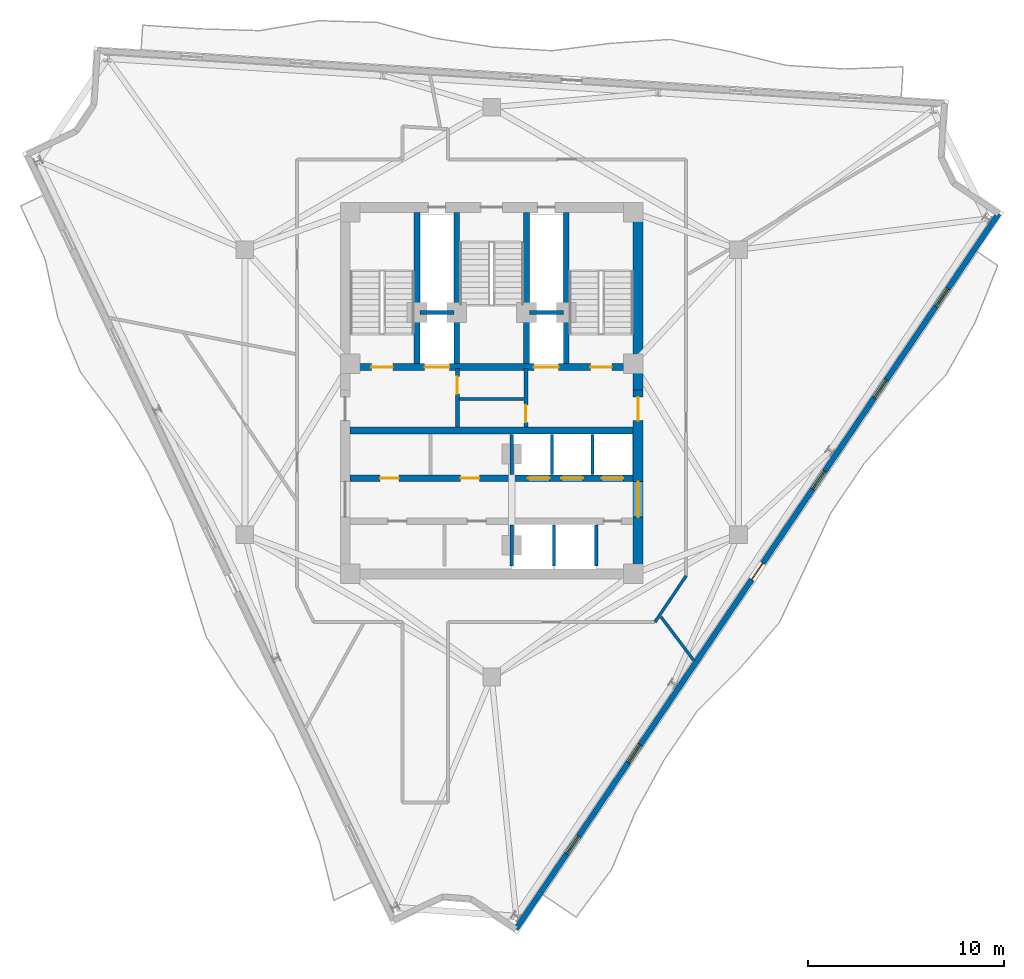
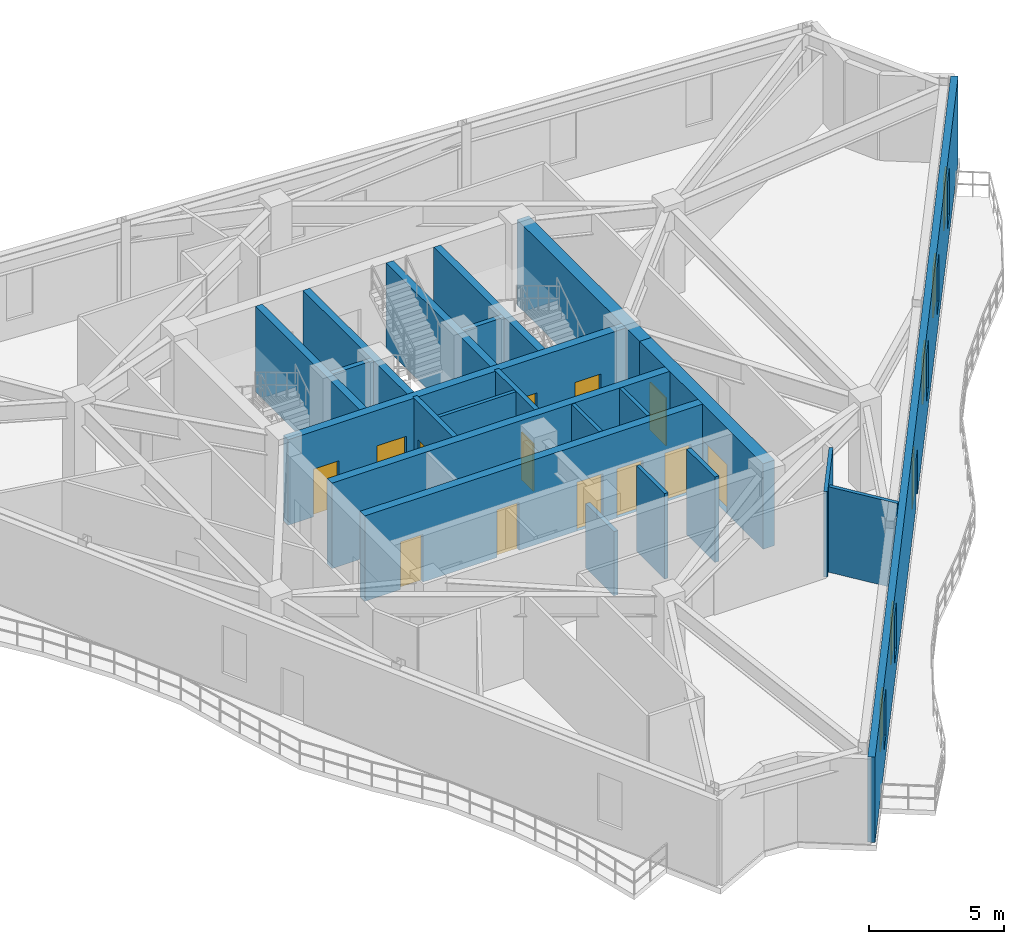
# One storey, part 6 of 10: 23 walls, 14 doors, 5 windows, 19 openings.
"""IFC4 building model written with IfcOpenShell, lengths in metres."""

from ifc_helpers import new_model, si_unit, direction, frame, frame_2d, origin, place, context, subcontext, project, spatial, rectangle, extrude, material, layer, layer_set, type_object, element, fill, save


model = new_model("IFC4")

# Units and contexts
model_context = context("Model", 3, precision=1e-05, world=origin(), true_north=direction((0.0, 1.0)))
body_context = subcontext(model_context, "Body", "Model", "MODEL_VIEW")
ifc_project = project(units=[si_unit("LENGTHUNIT", "METRE"), si_unit("AREAUNIT", "SQUARE_METRE"), si_unit("VOLUMEUNIT", "CUBIC_METRE"), si_unit("PLANEANGLEUNIT", "RADIAN"), si_unit("MASSUNIT", "GRAM", prefix="KILO")], contexts=[model_context])

# Site, building, storey
site_placement = place(None, origin())
site = spatial("IfcSite", under=ifc_project, at=site_placement, CompositionType="ELEMENT")
building_placement = place(site_placement, origin())
building = spatial("IfcBuilding", under=site, at=building_placement, Name="Apsidion Concourse Tower", CompositionType="ELEMENT")
storey_placement = place(building_placement, frame((0.0, 0.0, 298.300048828125)))
storey = spatial("IfcBuildingStorey", under=building, at=storey_placement, Name="L70", CompositionType="ELEMENT", Elevation=298.300048828125)

# Wall, openings, door, windows
ifc_material_1 = material(Name="Precast concrete C40/50", Category="concrete")
ifc_layer_1 = layer(ifc_material_1, 0.280029296875)
ifc_layer_set_1 = layer_set([ifc_layer_1], Name="Precast concrete C40/50")
wall_type_1 = type_object("IfcWallType", Name="WL-EXT-280", PredefinedType="STANDARD", material=ifc_layer_set_1)
wall_1_placement = place(storey_placement, frame((25.800048828125, 9.0830078125, 0.0), z_axis=(0.0, 0.0, 1.0), x_axis=(-0.55919392155, -0.829036885851, 0.0)))
wall_1 = element("IfcWall", 1, at=wall_1_placement, inside=storey, type_object=wall_type_1, Name="L70 Precast Stone Facade Wall 05", PredefinedType="STANDARD", context=body_context, shape_type="SweptSolid", body=[
    extrude(rectangle(XDim=43.914794921875, YDim=0.280029296875, at=frame_2d((21.95751953125, 0.0))), origin(), (0.0, 0.0, 1.0), 3.849853515625),
])
opening_1_placement = place(wall_1_placement, frame((21.457275390625, 0.0, 0.0)))
opening_1 = element("IfcOpeningElement", 2, at=opening_1_placement, cuts=wall_1, Name="Opening D-T1R", PredefinedType="OPENING", context=body_context, shape_type="SweptSolid", body=[
    extrude(rectangle(XDim=1.0, YDim=2.14990234375, at=frame_2d((0.5, 1.074951171875))), frame((0.0, 0.14990234375, 0.0), z_axis=(0.0, -1.0, 0.0), x_axis=(1.0, 0.0, 0.0)), (0.0, 0.0, 1.0), 0.300048828125),
])
opening_2_placement = place(wall_1_placement, frame((4.607421875, 0.0, 0.85009765625)))
opening_2 = element("IfcOpeningElement", 3, at=opening_2_placement, cuts=wall_1, Name="Opening WN-07", PredefinedType="OPENING", context=body_context, shape_type="SweptSolid", body=[
    extrude(rectangle(XDim=1.10009765625, YDim=2.14990234375, at=frame_2d((0.550048828125, 1.074951171875))), frame((0.0, 0.14990234375, 0.0), z_axis=(0.0, -1.0, 0.0), x_axis=(1.0, 0.0, 0.0)), (0.0, 0.0, 1.0), 0.300048828125),
])
opening_3_placement = place(wall_1_placement, frame((10.207275390625, 0.0, 0.85009765625)))
opening_3 = element("IfcOpeningElement", 4, at=opening_3_placement, cuts=wall_1, Name="Opening WN-07", PredefinedType="OPENING", context=body_context, shape_type="SweptSolid", body=[
    extrude(rectangle(XDim=1.10009765625, YDim=2.14990234375, at=frame_2d((0.550048828125, 1.074951171875))), frame((0.0, 0.14990234375, 0.0), z_axis=(0.0, -1.0, 0.0), x_axis=(1.0, 0.0, 0.0)), (0.0, 0.0, 1.0), 0.300048828125),
])
opening_4_placement = place(wall_1_placement, frame((15.807373046875, 0.0, 0.85009765625)))
opening_4 = element("IfcOpeningElement", 5, at=opening_4_placement, cuts=wall_1, Name="Opening WN-07", PredefinedType="OPENING", context=body_context, shape_type="SweptSolid", body=[
    extrude(rectangle(XDim=1.10009765625, YDim=2.14990234375, at=frame_2d((0.550048828125, 1.074951171875))), frame((0.0, 0.14990234375, 0.0), z_axis=(0.0, -1.0, 0.0), x_axis=(1.0, 0.0, 0.0)), (0.0, 0.0, 1.0), 0.300048828125),
])
opening_5_placement = place(wall_1_placement, frame((32.607421875, 0.0, 0.85009765625)))
opening_5 = element("IfcOpeningElement", 6, at=opening_5_placement, cuts=wall_1, Name="Opening WN-07", PredefinedType="OPENING", context=body_context, shape_type="SweptSolid", body=[
    extrude(rectangle(XDim=1.10009765625, YDim=2.14990234375, at=frame_2d((0.550048828125, 1.074951171875))), frame((0.0, 0.14990234375, 0.0), z_axis=(0.0, -1.0, 0.0), x_axis=(1.0, 0.0, 0.0)), (0.0, 0.0, 1.0), 0.300048828125),
])
opening_6_placement = place(wall_1_placement, frame((38.207275390625, 0.0, 0.85009765625)))
opening_6 = element("IfcOpeningElement", 7, at=opening_6_placement, cuts=wall_1, Name="Opening WN-07", PredefinedType="OPENING", context=body_context, shape_type="SweptSolid", body=[
    extrude(rectangle(XDim=1.10009765625, YDim=2.14990234375, at=frame_2d((0.550048828125, 1.074951171875))), frame((0.0, 0.14990234375, 0.0), z_axis=(0.0, -1.0, 0.0), x_axis=(1.0, 0.0, 0.0)), (0.0, 0.0, 1.0), 0.300048828125),
])
ifc_material_2 = material(Name="Anodised aluminium EN AW-6063 T6", Category="aluminium")
door_type_1 = type_object("IfcDoorType", Name="DR-TER-1022R", OperationType="SINGLE_SWING_RIGHT", PredefinedType="DOOR", material=ifc_material_2)
door_1_placement = place(opening_1_placement, origin())
door_1 = element("IfcDoor", 8, at=door_1_placement, inside=storey, type_object=door_type_1, Name="L70 Balcony Access Door 2", OperationType="SINGLE_SWING_RIGHT", OverallHeight=2.14990234375, OverallWidth=1.0, PredefinedType="DOOR", context=body_context, shape_type="SweptSolid", body=[
    extrude(rectangle(XDim=1.0, YDim=2.14990234375, at=frame_2d((0.5, 1.074951171875))), frame((0.0, 0.02490234375, 0.0), z_axis=(0.0, -1.0, 0.0), x_axis=(1.0, 0.0, 0.0)), (0.0, 0.0, 1.0), 0.050048828125),
])
fill(opening_1, door_1)
ifc_material_3 = material(Name="Insulated laminated low-E glass", Category="glass")
window_type = type_object("IfcWindowType", Name="WN-OFF-1123", PartitioningType="SINGLE_PANEL", PredefinedType="WINDOW", material=ifc_material_3)
window_1_placement = place(opening_2_placement, origin())
window_1 = element("IfcWindow", 9, at=window_1_placement, inside=storey, type_object=window_type, Name="L70 Punched Facade Window 5-01", OverallHeight=2.14990234375, OverallWidth=1.10009765625, PartitioningType="SINGLE_PANEL", PredefinedType="WINDOW", context=body_context, shape_type="SweptSolid", body=[
    extrude(rectangle(XDim=1.10009765625, YDim=2.14990234375, at=frame_2d((0.550048828125, 1.074951171875))), frame((0.0, 0.030029296875, 0.0), z_axis=(0.0, -1.0, 0.0), x_axis=(1.0, 0.0, 0.0)), (0.0, 0.0, 1.0), 0.06005859375),
])
fill(opening_2, window_1)
window_2_placement = place(opening_3_placement, origin())
window_2 = element("IfcWindow", 10, at=window_2_placement, inside=storey, type_object=window_type, Name="L70 Punched Facade Window 5-02", OverallHeight=2.14990234375, OverallWidth=1.10009765625, PartitioningType="SINGLE_PANEL", PredefinedType="WINDOW", context=body_context, shape_type="SweptSolid", body=[
    extrude(rectangle(XDim=1.10009765625, YDim=2.14990234375, at=frame_2d((0.550048828125, 1.074951171875))), frame((0.0, 0.030029296875, 0.0), z_axis=(0.0, -1.0, 0.0), x_axis=(1.0, 0.0, 0.0)), (0.0, 0.0, 1.0), 0.06005859375),
])
fill(opening_3, window_2)
window_3_placement = place(opening_4_placement, origin())
window_3 = element("IfcWindow", 11, at=window_3_placement, inside=storey, type_object=window_type, Name="L70 Punched Facade Window 5-03", OverallHeight=2.14990234375, OverallWidth=1.10009765625, PartitioningType="SINGLE_PANEL", PredefinedType="WINDOW", context=body_context, shape_type="SweptSolid", body=[
    extrude(rectangle(XDim=1.10009765625, YDim=2.14990234375, at=frame_2d((0.550048828125, 1.074951171875))), frame((0.0, 0.030029296875, 0.0), z_axis=(0.0, -1.0, 0.0), x_axis=(1.0, 0.0, 0.0)), (0.0, 0.0, 1.0), 0.06005859375),
])
fill(opening_4, window_3)
window_4_placement = place(opening_5_placement, origin())
window_4 = element("IfcWindow", 12, at=window_4_placement, inside=storey, type_object=window_type, Name="L70 Punched Facade Window 5-06", OverallHeight=2.14990234375, OverallWidth=1.10009765625, PartitioningType="SINGLE_PANEL", PredefinedType="WINDOW", context=body_context, shape_type="SweptSolid", body=[
    extrude(rectangle(XDim=1.10009765625, YDim=2.14990234375, at=frame_2d((0.550048828125, 1.074951171875))), frame((0.0, 0.030029296875, 0.0), z_axis=(0.0, -1.0, 0.0), x_axis=(1.0, 0.0, 0.0)), (0.0, 0.0, 1.0), 0.06005859375),
])
fill(opening_5, window_4)
window_5_placement = place(opening_6_placement, origin())
window_5 = element("IfcWindow", 13, at=window_5_placement, inside=storey, type_object=window_type, Name="L70 Punched Facade Window 5-07", OverallHeight=2.14990234375, OverallWidth=1.10009765625, PartitioningType="SINGLE_PANEL", PredefinedType="WINDOW", context=body_context, shape_type="SweptSolid", body=[
    extrude(rectangle(XDim=1.10009765625, YDim=2.14990234375, at=frame_2d((0.550048828125, 1.074951171875))), frame((0.0, 0.030029296875, 0.0), z_axis=(0.0, -1.0, 0.0), x_axis=(1.0, 0.0, 0.0)), (0.0, 0.0, 1.0), 0.06005859375),
])
fill(opening_6, window_5)

# Walls
ifc_material_4 = material(Name="Gypsum plasterboard partition")
ifc_layer_2 = layer(ifc_material_4, 0.14990234375)
ifc_layer_set_2 = layer_set([ifc_layer_2], Name="Gypsum plasterboard partition")
wall_type_2 = type_object("IfcWallType", Name="WL-INT-PAR-150", PredefinedType="PARTITIONING", material=ifc_layer_set_2)
for number, where, z_axis, x_axis, name in (
    (14, (3.074951171875, -4.179931640625, 0.0), (0.0, 0.0, 1.0), (0.0, 1.0, 0.0), "L70 Interior Partition WL-L70-B3DIV-1"),
    (15, (5.125, -4.179931640625, 0.0), (0.0, 0.0, 1.0), (0.0, 1.0, 0.0), "L70 Interior Partition WL-L70-B3DIV-2"),
):
    element("IfcWall", number, at=place(storey_placement, frame(where, z_axis=z_axis, x_axis=x_axis)), inside=storey, type_object=wall_type_2, Name=name, PredefinedType="PARTITIONING", context=body_context, shape_type="SweptSolid", body=[
        extrude(rectangle(XDim=2.030029296875, YDim=0.14990234375, at=frame_2d((1.01513671875, 0.0))), origin(), (0.0, 0.0, 1.0), 3.849853515625),
    ])
wall_2_placement = place(storey_placement, frame((3.175048828125, -8.85009765625, 0.0), z_axis=(0.0, 0.0, 1.0), x_axis=(0.0, 1.0, 0.0)))
element("IfcWall", 16, at=wall_2_placement, inside=storey, type_object=wall_type_2, Name="L70 Interior Partition WL-L70-SHDIV-1", PredefinedType="PARTITIONING", context=body_context, shape_type="SweptSolid", body=[
    extrude(rectangle(XDim=2.080078125, YDim=0.14990234375, at=frame_2d((1.0400390625, 0.0))), origin(), (0.0, 0.0, 1.0), 3.849853515625),
])
wall_3_placement = place(storey_placement, frame((-1.6298828125, -0.35009765625, 0.0), z_axis=(0.0, 0.0, 1.0), x_axis=(1.0, 0.0, 0.0)))
element("IfcWall", 17, at=wall_3_placement, inside=storey, type_object=wall_type_2, Name="L70 Interior Partition WL-L70-K2H", PredefinedType="PARTITIONING", context=body_context, shape_type="SweptSolid", body=[
    extrude(rectangle(XDim=3.259765625, YDim=0.14990234375, at=frame_2d((1.6298828125, 0.0))), origin(), (0.0, 0.0, 1.0), 3.849853515625),
])
wall_4_placement = place(storey_placement, frame((9.89990234375, -9.348388671875, 0.0), z_axis=(0.0, 0.0, 1.0), x_axis=(-0.559200828408, -0.829032227062, 0.0)))
element("IfcWall", 18, at=wall_4_placement, inside=storey, type_object=wall_type_2, Name="L70 Interior Partition WL-L70-CORR-10", PredefinedType="PARTITIONING", context=body_context, shape_type="SweptSolid", body=[
    extrude(rectangle(XDim=2.83642578125, YDim=0.14990234375, at=frame_2d((1.418212890625, 0.0))), origin(), (0.0, 0.0, 1.0), 3.849853515625),
])
wall_5_placement = place(storey_placement, frame((8.6181640625, -11.4365234375, 0.0), z_axis=(0.0, 0.0, 1.0), x_axis=(0.601749877765, -0.798684596452, 0.0)))
element("IfcWall", 19, at=wall_5_placement, inside=storey, type_object=wall_type_2, Name="L70 Interior Partition WL-L70-RAD-05-1", PredefinedType="PARTITIONING", context=body_context, shape_type="SweptSolid", body=[
    extrude(rectangle(XDim=2.765869140625, YDim=0.14990234375, at=frame_2d((1.3828125, 0.0))), origin(), (0.0, 0.0, 1.0), 3.849853515625),
])
ifc_layer_3 = layer(ifc_material_4, 0.179931640625)
ifc_layer_set_3 = layer_set([ifc_layer_3], Name="Gypsum plasterboard partition")
wall_type_3 = type_object("IfcWallType", Name="WL-INT-PAR-180", PredefinedType="PARTITIONING", material=ifc_layer_set_3)
wall_6_placement = place(storey_placement, frame((1.02490234375, -4.179931640625, 0.0), z_axis=(0.0, 0.0, 1.0), x_axis=(0.0, 1.0, 0.0)))
element("IfcWall", 20, at=wall_6_placement, inside=storey, type_object=wall_type_3, Name="L70 Interior Partition WL-L70-B1END", PredefinedType="PARTITIONING", context=body_context, shape_type="SweptSolid", body=[
    extrude(rectangle(XDim=2.030029296875, YDim=0.179931640625, at=frame_2d((1.01513671875, 0.0))), origin(), (0.0, 0.0, 1.0), 2.89794921875),
])
wall_7_placement = place(storey_placement, frame((1.02490234375, -8.85009765625, 0.0), z_axis=(0.0, 0.0, 1.0), x_axis=(0.0, 1.0, 0.0)))
element("IfcWall", 21, at=wall_7_placement, inside=storey, type_object=wall_type_3, Name="L70 Interior Partition WL-L70-B2END", PredefinedType="PARTITIONING", context=body_context, shape_type="SweptSolid", body=[
    extrude(rectangle(XDim=2.080078125, YDim=0.179931640625, at=frame_2d((1.0400390625, 0.0))), origin(), (0.0, 0.0, 1.0), 2.89794921875),
])
wall_8_placement = place(storey_placement, frame((5.324951171875, -8.85009765625, 0.0), z_axis=(0.0, 0.0, 1.0), x_axis=(0.0, 1.0, 0.0)))
element("IfcWall", 22, at=wall_8_placement, inside=storey, type_object=wall_type_3, Name="L70 Interior Partition WL-L70-SHDIV-2", PredefinedType="PARTITIONING", context=body_context, shape_type="SweptSolid", body=[
    extrude(rectangle(XDim=2.080078125, YDim=0.179931640625, at=frame_2d((1.0400390625, 0.0))), origin(), (0.0, 0.0, 1.0), 3.849853515625),
])
ifc_layer_4 = layer(ifc_material_4, 0.199951171875)
ifc_layer_set_4 = layer_set([ifc_layer_4], Name="Gypsum plasterboard partition")
wall_type_4 = type_object("IfcWallType", Name="WL-INT-PAR-200", PredefinedType="PARTITIONING", material=ifc_layer_set_4)
for number, where, z_axis, x_axis, name in (
    (23, (-3.64990234375, 4.050048828125, 0.0), (0.0, 0.0, 1.0), (1.0, 0.0, 0.0), "L70 Interior Partition WL-L70-FF1-N"),
    (24, (1.919921875, 4.050048828125, 0.0), (0.0, 0.0, 1.0), (1.0, 0.0, 0.0), "L70 Interior Partition WL-L70-FF2-N"),
):
    element("IfcWall", number, at=place(storey_placement, frame(where, z_axis=z_axis, x_axis=x_axis)), inside=storey, type_object=wall_type_4, Name=name, PredefinedType="PARTITIONING", context=body_context, shape_type="SweptSolid", body=[
        extrude(rectangle(XDim=1.72998046875, YDim=0.199951171875, at=frame_2d((0.864990234375, 0.0))), origin(), (0.0, 0.0, 1.0), 3.849853515625),
    ])

# Wall, opening, door
wall_9_placement = place(storey_placement, frame((-1.739990234375, -1.780029296875, 0.0), z_axis=(0.0, 0.0, 1.0), x_axis=(0.0, 1.0, 0.0)))
wall_9 = element("IfcWall", 25, at=wall_9_placement, inside=storey, type_object=wall_type_4, Name="L70 Interior Partition WL-L70-FF1-E", PredefinedType="PARTITIONING", context=body_context, shape_type="SweptSolid", body=[
    extrude(rectangle(XDim=2.97998046875, YDim=0.199951171875, at=frame_2d((1.489990234375, 0.0))), origin(), (0.0, 0.0, 1.0), 3.849853515625),
])
opening_7_placement = place(wall_9_placement, frame((1.68994140625, 0.0, 0.0)))
opening_7 = element("IfcOpeningElement", 26, at=opening_7_placement, cuts=wall_9, Name="Opening D-05L", PredefinedType="OPENING", context=body_context, shape_type="SweptSolid", body=[
    extrude(rectangle(XDim=0.8798828125, YDim=2.14990234375, at=frame_2d((0.43994140625, 1.074951171875))), frame((0.0, 0.10986328125, 0.0), z_axis=(0.0, -1.0, 0.0), x_axis=(1.0, 0.0, 0.0)), (0.0, 0.0, 1.0), 0.219970703125),
])
ifc_material_5 = material(Name="Brushed stainless steel 316", Category="steel")
door_type_2 = type_object("IfcDoorType", Name="DR-INT-D05L", OperationType="SINGLE_SWING_LEFT", PredefinedType="DOOR", material=ifc_material_5)
door_2_placement = place(opening_7_placement, origin())
door_2 = element("IfcDoor", 27, at=door_2_placement, inside=storey, type_object=door_type_2, Name="L70 Core Staff WC Door", OperationType="SINGLE_SWING_LEFT", OverallHeight=2.14990234375, OverallWidth=0.8798828125, PredefinedType="DOOR", context=body_context, shape_type="SweptSolid", body=[
    extrude(rectangle(XDim=0.8798828125, YDim=2.14990234375, at=frame_2d((0.43994140625, 1.074951171875))), frame((0.0, 0.02490234375, 0.0), z_axis=(0.0, -1.0, 0.0), x_axis=(1.0, 0.0, 0.0)), (0.0, 0.0, 1.0), 0.050048828125),
])
fill(opening_7, door_2)

wall_10_placement = place(storey_placement, frame((1.739990234375, -1.780029296875, 0.0), z_axis=(0.0, 0.0, 1.0), x_axis=(0.0, 1.0, 0.0)))
wall_10 = element("IfcWall", 28, at=wall_10_placement, inside=storey, type_object=wall_type_4, Name="L70 Interior Partition WL-L70-FF2-W", PredefinedType="PARTITIONING", context=body_context, shape_type="SweptSolid", body=[
    extrude(rectangle(XDim=2.97998046875, YDim=0.199951171875, at=frame_2d((1.489990234375, 0.0))), origin(), (0.0, 0.0, 1.0), 3.849853515625),
])
opening_8_placement = place(wall_10_placement, frame((0.239990234375, 0.0, 0.0)))
opening_8 = element("IfcOpeningElement", 29, at=opening_8_placement, cuts=wall_10, Name="Opening D-05R", PredefinedType="OPENING", context=body_context, shape_type="SweptSolid", body=[
    extrude(rectangle(XDim=0.8798828125, YDim=2.14990234375, at=frame_2d((0.43994140625, 1.074951171875))), frame((0.0, 0.10986328125, 0.0), z_axis=(0.0, -1.0, 0.0), x_axis=(1.0, 0.0, 0.0)), (0.0, 0.0, 1.0), 0.219970703125),
])
door_type_3 = type_object("IfcDoorType", Name="DR-INT-D05R", OperationType="SINGLE_SWING_RIGHT", PredefinedType="DOOR", material=ifc_material_5)
door_3_placement = place(opening_8_placement, origin())
door_3 = element("IfcDoor", 30, at=door_3_placement, inside=storey, type_object=door_type_3, Name="L70 Core Supply Store Door", OperationType="SINGLE_SWING_RIGHT", OverallHeight=2.14990234375, OverallWidth=0.8798828125, PredefinedType="DOOR", context=body_context, shape_type="SweptSolid", body=[
    extrude(rectangle(XDim=0.8798828125, YDim=2.14990234375, at=frame_2d((0.43994140625, 1.074951171875))), frame((0.0, 0.02490234375, 0.0), z_axis=(0.0, -1.0, 0.0), x_axis=(1.0, 0.0, 0.0)), (0.0, 0.0, 1.0), 0.050048828125),
])
fill(opening_8, door_3)

# Walls
ifc_material_6 = material(Name="Concrete C50/60", Category="concrete")
ifc_layer_5 = layer(ifc_material_6, 0.300048828125)
ifc_layer_set_5 = layer_set([ifc_layer_5], Name="Concrete C50/60")
wall_type_5 = type_object("IfcWallType", Name="WL-SH-300", PredefinedType="SHEAR", material=ifc_layer_set_5)
for number, where, z_axis, x_axis, name in (
    (31, (-3.800048828125, 1.449951171875, 0.0), (0.0, 0.0, 1.0), (0.0, 1.0, 0.0), "L70 Central Core Shear Wall V1"),
    (32, (-1.77490234375, 1.449951171875, 0.0), (0.0, 0.0, 1.0), (0.0, 1.0, 0.0), "L70 Central Core Shear Wall V2"),
    (33, (1.77490234375, 1.449951171875, 0.0), (0.0, 0.0, 1.0), (0.0, 1.0, 0.0), "L70 Central Core Shear Wall V3"),
    (34, (3.800048828125, 1.449951171875, 0.0), (0.0, 0.0, 1.0), (0.0, 1.0, 0.0), "L70 Central Core Shear Wall V4"),
):
    element("IfcWall", number, at=place(storey_placement, frame(where, z_axis=z_axis, x_axis=x_axis)), inside=storey, type_object=wall_type_5, Name=name, PredefinedType="SHEAR", context=body_context, shape_type="SweptSolid", body=[
        extrude(rectangle(XDim=7.699951171875, YDim=0.300048828125, at=frame_2d((3.85009765625, 0.0))), origin(), (0.0, 0.0, 1.0), 3.849853515625),
    ])

# Wall, openings, doors
ifc_layer_6 = layer(ifc_material_6, 0.35009765625)
ifc_layer_set_6 = layer_set([ifc_layer_6], Name="Concrete C50/60")
wall_type_6 = type_object("IfcWallType", Name="WL-SH-350", PredefinedType="SHEAR", material=ifc_layer_set_6)
wall_11_placement = place(storey_placement, frame((-7.199951171875, 1.27490234375, 0.0), z_axis=(0.0, 0.0, 1.0), x_axis=(1.0, 0.0, 0.0)))
wall_11 = element("IfcWall", 35, at=wall_11_placement, inside=storey, type_object=wall_type_6, Name="L70 Central Core Shear Wall M1", PredefinedType="SHEAR", context=body_context, shape_type="SweptSolid", body=[
    extrude(rectangle(XDim=14.39990234375, YDim=0.35009765625, at=frame_2d((7.199951171875, 0.0))), origin(), (0.0, 0.0, 1.0), 3.849853515625),
])
opening_9_placement = place(wall_11_placement, frame((3.794921875, 0.0, 0.0)))
opening_9 = element("IfcOpeningElement", 36, at=opening_9_placement, cuts=wall_11, Name="Opening LD-FF", PredefinedType="OPENING", context=body_context, shape_type="SweptSolid", body=[
    extrude(rectangle(XDim=1.25, YDim=2.25, at=frame_2d((0.625, 1.125))), frame((0.0, 0.18505859375, 0.0), z_axis=(0.0, -1.0, 0.0), x_axis=(1.0, 0.0, 0.0)), (0.0, 0.0, 1.0), 0.3701171875),
])
opening_10_placement = place(wall_11_placement, frame((9.35498046875, 0.0, 0.0)))
opening_10 = element("IfcOpeningElement", 37, at=opening_10_placement, cuts=wall_11, Name="Opening LD-FF", PredefinedType="OPENING", context=body_context, shape_type="SweptSolid", body=[
    extrude(rectangle(XDim=1.25, YDim=2.25, at=frame_2d((0.625, 1.125))), frame((0.0, 0.18505859375, 0.0), z_axis=(0.0, -1.0, 0.0), x_axis=(1.0, 0.0, 0.0)), (0.0, 0.0, 1.0), 0.3701171875),
])
opening_11_placement = place(wall_11_placement, frame((1.074951171875, 0.0, 0.0)))
opening_11 = element("IfcOpeningElement", 38, at=opening_11_placement, cuts=wall_11, Name="Opening D-STL", PredefinedType="OPENING", context=body_context, shape_type="SweptSolid", body=[
    extrude(rectangle(XDim=1.10009765625, YDim=2.14990234375, at=frame_2d((0.550048828125, 1.074951171875))), frame((0.0, 0.18505859375, 0.0), z_axis=(0.0, -1.0, 0.0), x_axis=(1.0, 0.0, 0.0)), (0.0, 0.0, 1.0), 0.3701171875),
])
opening_12_placement = place(wall_11_placement, frame((12.22509765625, 0.0, 0.0)))
opening_12 = element("IfcOpeningElement", 39, at=opening_12_placement, cuts=wall_11, Name="Opening D-STR", PredefinedType="OPENING", context=body_context, shape_type="SweptSolid", body=[
    extrude(rectangle(XDim=1.10009765625, YDim=2.14990234375, at=frame_2d((0.550048828125, 1.074951171875))), frame((0.0, 0.18505859375, 0.0), z_axis=(0.0, -1.0, 0.0), x_axis=(1.0, 0.0, 0.0)), (0.0, 0.0, 1.0), 0.3701171875),
])
door_type_4 = type_object("IfcDoorType", Name="DR-INT-ST1L", OperationType="SINGLE_SWING_LEFT", PredefinedType="DOOR", material=ifc_material_5)
door_4_placement = place(opening_11_placement, origin())
door_4 = element("IfcDoor", 40, at=door_4_placement, inside=storey, type_object=door_type_4, Name="L70 Core Exit Stair ST1 Door", OperationType="SINGLE_SWING_LEFT", OverallHeight=2.14990234375, OverallWidth=1.10009765625, PredefinedType="DOOR", context=body_context, shape_type="SweptSolid", body=[
    extrude(rectangle(XDim=1.10009765625, YDim=2.14990234375, at=frame_2d((0.550048828125, 1.074951171875))), frame((0.0, 0.02490234375, 0.0), z_axis=(0.0, -1.0, 0.0), x_axis=(1.0, 0.0, 0.0)), (0.0, 0.0, 1.0), 0.050048828125),
])
fill(opening_11, door_4)
door_type_5 = type_object("IfcDoorType", Name="DR-INT-ST1R", OperationType="SINGLE_SWING_RIGHT", PredefinedType="DOOR", material=ifc_material_5)
door_5_placement = place(opening_12_placement, origin())
door_5 = element("IfcDoor", 41, at=door_5_placement, inside=storey, type_object=door_type_5, Name="L70 Core Exit Stair ST2 Door", OperationType="SINGLE_SWING_RIGHT", OverallHeight=2.14990234375, OverallWidth=1.10009765625, PredefinedType="DOOR", context=body_context, shape_type="SweptSolid", body=[
    extrude(rectangle(XDim=1.10009765625, YDim=2.14990234375, at=frame_2d((0.550048828125, 1.074951171875))), frame((0.0, 0.02490234375, 0.0), z_axis=(0.0, -1.0, 0.0), x_axis=(1.0, 0.0, 0.0)), (0.0, 0.0, 1.0), 0.050048828125),
])
fill(opening_12, door_5)
door_type_6 = type_object("IfcDoorType", Name="DR-LD-FSAE", OperationType="DOUBLE_DOOR_SLIDING", PredefinedType="DOOR", material=ifc_material_5)
door_6_placement = place(opening_9_placement, origin())
door_6 = element("IfcDoor", 42, at=door_6_placement, inside=storey, type_object=door_type_6, Name="L70 Lift Landing Door FF1", OperationType="DOUBLE_DOOR_SLIDING", OverallHeight=2.25, OverallWidth=1.25, PredefinedType="DOOR", context=body_context, shape_type="SweptSolid", body=[
    extrude(rectangle(XDim=1.25, YDim=2.25, at=frame_2d((0.625, 1.125))), frame((0.0, 0.02490234375, 0.0), z_axis=(0.0, -1.0, 0.0), x_axis=(1.0, 0.0, 0.0)), (0.0, 0.0, 1.0), 0.050048828125),
])
fill(opening_9, door_6)
door_7_placement = place(opening_10_placement, origin())
door_7 = element("IfcDoor", 43, at=door_7_placement, inside=storey, type_object=door_type_6, Name="L70 Lift Landing Door FF2", OperationType="DOUBLE_DOOR_SLIDING", OverallHeight=2.25, OverallWidth=1.25, PredefinedType="DOOR", context=body_context, shape_type="SweptSolid", body=[
    extrude(rectangle(XDim=1.25, YDim=2.25, at=frame_2d((0.625, 1.125))), frame((0.0, 0.02490234375, 0.0), z_axis=(0.0, -1.0, 0.0), x_axis=(1.0, 0.0, 0.0)), (0.0, 0.0, 1.0), 0.050048828125),
])
fill(opening_10, door_7)

# Wall
wall_12_placement = place(storey_placement, frame((-7.199951171875, -1.949951171875, 0.0), z_axis=(0.0, 0.0, 1.0), x_axis=(1.0, 0.0, 0.0)))
element("IfcWall", 44, at=wall_12_placement, inside=storey, type_object=wall_type_6, Name="L70 Central Core Shear Wall M2", PredefinedType="SHEAR", context=body_context, shape_type="SweptSolid", body=[
    extrude(rectangle(XDim=14.39990234375, YDim=0.35009765625, at=frame_2d((7.199951171875, 0.0))), origin(), (0.0, 0.0, 1.0), 3.849853515625),
])

# Wall, openings, doors
wall_13_placement = place(storey_placement, frame((-7.199951171875, -4.3798828125, 0.0), z_axis=(0.0, 0.0, 1.0), x_axis=(1.0, 0.0, 0.0)))
wall_13 = element("IfcWall", 45, at=wall_13_placement, inside=storey, type_object=wall_type_6, Name="L70 Central Core Shear Wall LA", PredefinedType="SHEAR", context=body_context, shape_type="SweptSolid", body=[
    extrude(rectangle(XDim=14.39990234375, YDim=0.35009765625, at=frame_2d((7.199951171875, 0.0))), origin(), (0.0, 0.0, 1.0), 3.849853515625),
])
opening_13_placement = place(wall_13_placement, frame((9.050048828125, 0.0, 0.0)))
opening_13 = element("IfcOpeningElement", 46, at=opening_13_placement, cuts=wall_13, Name="Opening LD-P1", PredefinedType="OPENING", context=body_context, shape_type="SweptSolid", body=[
    extrude(rectangle(XDim=1.10009765625, YDim=2.199951171875, at=frame_2d((0.550048828125, 1.10009765625))), frame((0.0, 0.18505859375, 0.0), z_axis=(0.0, -1.0, 0.0), x_axis=(1.0, 0.0, 0.0)), (0.0, 0.0, 1.0), 0.3701171875),
])
opening_14_placement = place(wall_13_placement, frame((10.75, 0.0, 0.0)))
opening_14 = element("IfcOpeningElement", 47, at=opening_14_placement, cuts=wall_13, Name="Opening LD-P1", PredefinedType="OPENING", context=body_context, shape_type="SweptSolid", body=[
    extrude(rectangle(XDim=1.10009765625, YDim=2.199951171875, at=frame_2d((0.550048828125, 1.10009765625))), frame((0.0, 0.18505859375, 0.0), z_axis=(0.0, -1.0, 0.0), x_axis=(1.0, 0.0, 0.0)), (0.0, 0.0, 1.0), 0.3701171875),
])
opening_15_placement = place(wall_13_placement, frame((12.800048828125, 0.0, 0.0)))
opening_15 = element("IfcOpeningElement", 48, at=opening_15_placement, cuts=wall_13, Name="Opening LD-P1", PredefinedType="OPENING", context=body_context, shape_type="SweptSolid", body=[
    extrude(rectangle(XDim=1.10009765625, YDim=2.199951171875, at=frame_2d((0.550048828125, 1.10009765625))), frame((0.0, 0.18505859375, 0.0), z_axis=(0.0, -1.0, 0.0), x_axis=(1.0, 0.0, 0.0)), (0.0, 0.0, 1.0), 0.3701171875),
])
opening_16_placement = place(wall_13_placement, frame((1.52490234375, 0.0, 0.0)))
opening_16 = element("IfcOpeningElement", 49, at=opening_16_placement, cuts=wall_13, Name="Opening D-04L", PredefinedType="OPENING", context=body_context, shape_type="SweptSolid", body=[
    extrude(rectangle(XDim=0.949951171875, YDim=2.14990234375, at=frame_2d((0.47509765625, 1.074951171875))), frame((0.0, 0.18505859375, 0.0), z_axis=(0.0, -1.0, 0.0), x_axis=(1.0, 0.0, 0.0)), (0.0, 0.0, 1.0), 0.3701171875),
])
opening_17_placement = place(wall_13_placement, frame((5.625, 0.0, 0.0)))
opening_17 = element("IfcOpeningElement", 50, at=opening_17_placement, cuts=wall_13, Name="Opening D-04R", PredefinedType="OPENING", context=body_context, shape_type="SweptSolid", body=[
    extrude(rectangle(XDim=0.949951171875, YDim=2.14990234375, at=frame_2d((0.47509765625, 1.074951171875))), frame((0.0, 0.18505859375, 0.0), z_axis=(0.0, -1.0, 0.0), x_axis=(1.0, 0.0, 0.0)), (0.0, 0.0, 1.0), 0.3701171875),
])
door_type_7 = type_object("IfcDoorType", Name="DR-INT-D04L", OperationType="SINGLE_SWING_LEFT", PredefinedType="DOOR", material=ifc_material_5)
door_8_placement = place(opening_16_placement, origin())
door_8 = element("IfcDoor", 51, at=door_8_placement, inside=storey, type_object=door_type_7, Name="L70 Tenant Archive Room West Door", OperationType="SINGLE_SWING_LEFT", OverallHeight=2.14990234375, OverallWidth=0.949951171875, PredefinedType="DOOR", context=body_context, shape_type="SweptSolid", body=[
    extrude(rectangle(XDim=0.949951171875, YDim=2.14990234375, at=frame_2d((0.47509765625, 1.074951171875))), frame((0.0, 0.02490234375, 0.0), z_axis=(0.0, -1.0, 0.0), x_axis=(1.0, 0.0, 0.0)), (0.0, 0.0, 1.0), 0.050048828125),
])
fill(opening_16, door_8)
door_type_8 = type_object("IfcDoorType", Name="DR-INT-D04R", OperationType="SINGLE_SWING_RIGHT", PredefinedType="DOOR", material=ifc_material_5)
door_9_placement = place(opening_17_placement, origin())
door_9 = element("IfcDoor", 52, at=door_9_placement, inside=storey, type_object=door_type_8, Name="L70 Core Print and Copy Room Door", OperationType="SINGLE_SWING_RIGHT", OverallHeight=2.14990234375, OverallWidth=0.949951171875, PredefinedType="DOOR", context=body_context, shape_type="SweptSolid", body=[
    extrude(rectangle(XDim=0.949951171875, YDim=2.14990234375, at=frame_2d((0.47509765625, 1.074951171875))), frame((0.0, 0.02490234375, 0.0), z_axis=(0.0, -1.0, 0.0), x_axis=(1.0, 0.0, 0.0)), (0.0, 0.0, 1.0), 0.050048828125),
])
fill(opening_17, door_9)
door_type_9 = type_object("IfcDoorType", Name="DR-LD-PASS", OperationType="DOUBLE_DOOR_SLIDING", PredefinedType="DOOR", material=ifc_material_5)
door_10_placement = place(opening_13_placement, origin())
door_10 = element("IfcDoor", 53, at=door_10_placement, inside=storey, type_object=door_type_9, Name="L70 Lift Landing Door P9", OperationType="DOUBLE_DOOR_SLIDING", OverallHeight=2.199951171875, OverallWidth=1.10009765625, PredefinedType="DOOR", context=body_context, shape_type="SweptSolid", body=[
    extrude(rectangle(XDim=1.10009765625, YDim=2.199951171875, at=frame_2d((0.550048828125, 1.10009765625))), frame((0.0, 0.02490234375, 0.0), z_axis=(0.0, -1.0, 0.0), x_axis=(1.0, 0.0, 0.0)), (0.0, 0.0, 1.0), 0.050048828125),
])
fill(opening_13, door_10)
door_11_placement = place(opening_14_placement, origin())
door_11 = element("IfcDoor", 54, at=door_11_placement, inside=storey, type_object=door_type_9, Name="L70 Lift Landing Door P10", OperationType="DOUBLE_DOOR_SLIDING", OverallHeight=2.199951171875, OverallWidth=1.10009765625, PredefinedType="DOOR", context=body_context, shape_type="SweptSolid", body=[
    extrude(rectangle(XDim=1.10009765625, YDim=2.199951171875, at=frame_2d((0.550048828125, 1.10009765625))), frame((0.0, 0.02490234375, 0.0), z_axis=(0.0, -1.0, 0.0), x_axis=(1.0, 0.0, 0.0)), (0.0, 0.0, 1.0), 0.050048828125),
])
fill(opening_14, door_11)
door_12_placement = place(opening_15_placement, origin())
door_12 = element("IfcDoor", 55, at=door_12_placement, inside=storey, type_object=door_type_9, Name="L70 Lift Landing Door P11", OperationType="DOUBLE_DOOR_SLIDING", OverallHeight=2.199951171875, OverallWidth=1.10009765625, PredefinedType="DOOR", context=body_context, shape_type="SweptSolid", body=[
    extrude(rectangle(XDim=1.10009765625, YDim=2.199951171875, at=frame_2d((0.550048828125, 1.10009765625))), frame((0.0, 0.02490234375, 0.0), z_axis=(0.0, -1.0, 0.0), x_axis=(1.0, 0.0, 0.0)), (0.0, 0.0, 1.0), 0.050048828125),
])
fill(opening_15, door_12)

# Wall
ifc_layer_7 = layer(ifc_material_6, 0.5)
ifc_layer_set_7 = layer_set([ifc_layer_7], Name="Concrete C50/60")
wall_type_7 = type_object("IfcWallType", Name="WL-SH-500", PredefinedType="SHEAR", material=ifc_layer_set_7)
wall_14_placement = place(storey_placement, frame((7.449951171875, 0.10009765625, 0.0), z_axis=(0.0, 0.0, 1.0), x_axis=(0.0, 1.0, 0.0)))
element("IfcWall", 56, at=wall_14_placement, inside=storey, type_object=wall_type_7, Name="L70 Central Core Shear Wall EN", PredefinedType="SHEAR", context=body_context, shape_type="SweptSolid", body=[
    extrude(rectangle(XDim=9.0498046875, YDim=0.5, at=frame_2d((4.52490234375, 0.0))), origin(), (0.0, 0.0, 1.0), 3.849853515625),
])

# Wall, openings, doors
wall_15_placement = place(storey_placement, frame((7.449951171875, -9.0, 0.0), z_axis=(0.0, 0.0, 1.0), x_axis=(0.0, 1.0, 0.0)))
wall_15 = element("IfcWall", 57, at=wall_15_placement, inside=storey, type_object=wall_type_7, Name="L70 Central Core Shear Wall ES", PredefinedType="SHEAR", context=body_context, shape_type="SweptSolid", body=[
    extrude(rectangle(XDim=9.10009765625, YDim=0.5, at=frame_2d((4.550048828125, 0.0))), origin(), (0.0, 0.0, 1.0), 3.849853515625),
])
opening_18_placement = place(wall_15_placement, frame((2.639892578125, 0.0, 0.0)))
opening_18 = element("IfcOpeningElement", 58, at=opening_18_placement, cuts=wall_15, Name="Opening D-06D", PredefinedType="OPENING", context=body_context, shape_type="SweptSolid", body=[
    extrude(rectangle(XDim=1.800048828125, YDim=2.199951171875, at=frame_2d((0.89990234375, 1.10009765625))), frame((0.0, 0.260009765625, 0.0), z_axis=(0.0, -1.0, 0.0), x_axis=(1.0, 0.0, 0.0)), (0.0, 0.0, 1.0), 0.52001953125),
])
opening_19_placement = place(wall_15_placement, frame((7.550048828125, 0.0, 0.0)))
opening_19 = element("IfcOpeningElement", 59, at=opening_19_placement, cuts=wall_15, Name="Opening D-FFR", PredefinedType="OPENING", context=body_context, shape_type="SweptSolid", body=[
    extrude(rectangle(XDim=1.199951171875, YDim=2.14990234375, at=frame_2d((0.60009765625, 1.074951171875))), frame((0.0, 0.260009765625, 0.0), z_axis=(0.0, -1.0, 0.0), x_axis=(1.0, 0.0, 0.0)), (0.0, 0.0, 1.0), 0.52001953125),
])
door_type_10 = type_object("IfcDoorType", Name="DR-INT-D06D", OperationType="DOUBLE_DOOR_SINGLE_SWING", PredefinedType="DOOR", material=ifc_material_5)
door_13_placement = place(opening_18_placement, origin())
door_13 = element("IfcDoor", 60, at=door_13_placement, inside=storey, type_object=door_type_10, Name="L70 Passenger Lift Lobby ES Portal Door", OperationType="DOUBLE_DOOR_SINGLE_SWING", OverallHeight=2.199951171875, OverallWidth=1.800048828125, PredefinedType="DOOR", context=body_context, shape_type="SweptSolid", body=[
    extrude(rectangle(XDim=1.800048828125, YDim=2.199951171875, at=frame_2d((0.89990234375, 1.10009765625))), frame((0.0, 0.02490234375, 0.0), z_axis=(0.0, -1.0, 0.0), x_axis=(1.0, 0.0, 0.0)), (0.0, 0.0, 1.0), 0.050048828125),
])
fill(opening_18, door_13)
door_type_11 = type_object("IfcDoorType", Name="DR-INT-FFR", OperationType="SINGLE_SWING_RIGHT", PredefinedType="DOOR", material=ifc_material_5)
door_14_placement = place(opening_19_placement, origin())
door_14 = element("IfcDoor", 61, at=door_14_placement, inside=storey, type_object=door_type_11, Name="L70 Firefighting Lift Lobby FF2 Door", OperationType="SINGLE_SWING_RIGHT", OverallHeight=2.14990234375, OverallWidth=1.199951171875, PredefinedType="DOOR", context=body_context, shape_type="SweptSolid", body=[
    extrude(rectangle(XDim=1.199951171875, YDim=2.14990234375, at=frame_2d((0.60009765625, 1.074951171875))), frame((0.0, 0.02490234375, 0.0), z_axis=(0.0, -1.0, 0.0), x_axis=(1.0, 0.0, 0.0)), (0.0, 0.0, 1.0), 0.050048828125),
])
fill(opening_19, door_14)

save(model, "model.ifc")
